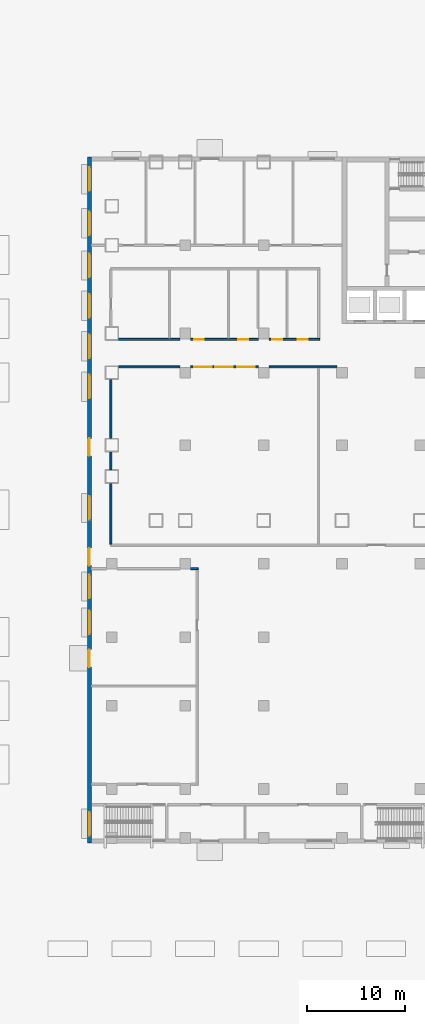
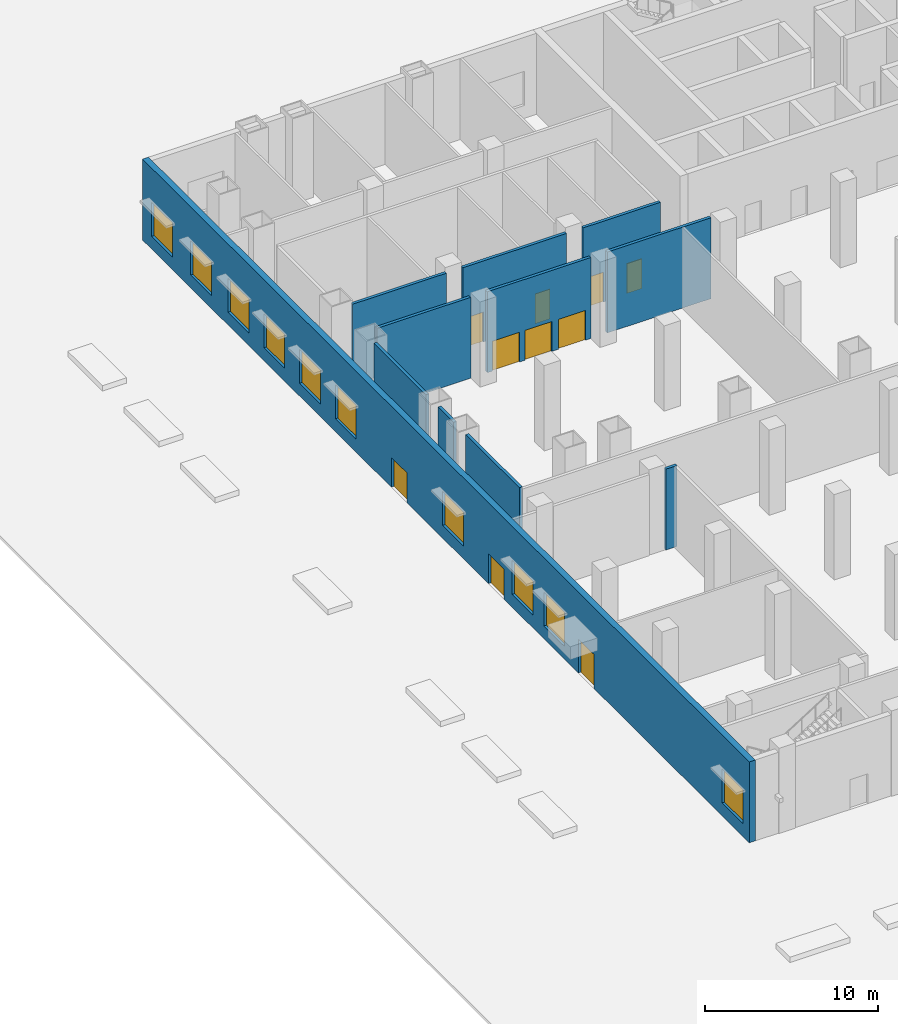
# One storey, part 4 of 18: 11 walls, 10 doors, 10 windows, 20 openings.
"""IFC4 building model written with IfcOpenShell, lengths in metres."""

from ifc_helpers import new_model, si_unit, direction, frame, frame_2d, origin, place, context, subcontext, project, spatial, rectangle, extrude, material, layer, layer_set, type_object, element, fill, save


model = new_model("IFC4")

# Units and contexts
model_context = context("Model", 3, precision=1e-05, world=origin(), true_north=direction((0.0, 1.0)))
body_context = subcontext(model_context, "Body", "Model", "MODEL_VIEW")
ifc_project = project(units=[si_unit("LENGTHUNIT", "METRE"), si_unit("AREAUNIT", "SQUARE_METRE"), si_unit("VOLUMEUNIT", "CUBIC_METRE"), si_unit("PLANEANGLEUNIT", "RADIAN"), si_unit("MASSUNIT", "GRAM", prefix="KILO")], contexts=[model_context])

# Site, building, storey
site_placement = place(None, origin())
site = spatial("IfcSite", under=ifc_project, at=site_placement, CompositionType="ELEMENT")
building_placement = place(site_placement, origin())
building = spatial("IfcBuilding", under=site, at=building_placement, Name="Vidyagriha Tower", CompositionType="ELEMENT")
storey_placement = place(building_placement, origin())
storey = spatial("IfcBuildingStorey", under=building, at=storey_placement, Name="L00", CompositionType="ELEMENT", Elevation=0.0)

# Wall, openings, doors, windows
ifc_material_1 = material(Name="Concrete C40/50 board-marked with brick facing", Category="concrete")
ifc_layer_1 = layer(ifc_material_1, 0.39990234375)
ifc_layer_set_1 = layer_set([ifc_layer_1], Name="Concrete C40/50 board-marked with brick facing")
wall_type_1 = type_object("IfcWallType", Name="Brick-faced board-marked concrete podium wall 400", PredefinedType="STANDARD", material=ifc_layer_set_1)
wall_1_placement = place(storey_placement, frame((-39.800048828125, 20.0, 0.0), z_axis=(0.0, 0.0, 1.0), x_axis=(0.0, -1.0, 0.0)))
wall_1 = element("IfcWall", 1, at=wall_1_placement, inside=storey, type_object=wall_type_1, Name="Podium wall L00 R05", PredefinedType="STANDARD", context=body_context, shape_type="SweptSolid", body=[
    extrude(rectangle(XDim=70.0, YDim=0.39990234375, at=frame_2d((35.0, 0.0))), origin(), (0.0, 0.0, 1.0), 5.699951171875),
])
opening_1_placement = place(wall_1_placement, frame((50.2666015625, 0.0, 0.0)))
opening_1 = element("IfcOpeningElement", 2, at=opening_1_placement, cuts=wall_1, Name="Opening D00-04", PredefinedType="OPENING", context=body_context, shape_type="SweptSolid", body=[
    extrude(rectangle(XDim=1.800048828125, YDim=2.39990234375, at=frame_2d((0.89990234375, 1.199951171875))), frame((0.0, 0.2099609375, 0.0), z_axis=(0.0, -1.0, 0.0), x_axis=(1.0, 0.0, 0.0)), (0.0, 0.0, 1.0), 0.419921875),
])
opening_2_placement = place(wall_1_placement, frame((1.050048828125, 0.0, 0.89990234375)))
opening_2 = element("IfcOpeningElement", 3, at=opening_2_placement, cuts=wall_1, Name="Opening WN4", PredefinedType="OPENING", context=body_context, shape_type="SweptSolid", body=[
    extrude(rectangle(XDim=2.39990234375, YDim=2.39990234375, at=frame_2d((1.199951171875, 1.199951171875))), frame((0.0, 0.2099609375, 0.0), z_axis=(0.0, -1.0, 0.0), x_axis=(1.0, 0.0, 0.0)), (0.0, 0.0, 1.0), 0.419921875),
])
opening_3_placement = place(wall_1_placement, frame((5.550048828125, 0.0, 0.89990234375)))
opening_3 = element("IfcOpeningElement", 4, at=opening_3_placement, cuts=wall_1, Name="Opening WN4", PredefinedType="OPENING", context=body_context, shape_type="SweptSolid", body=[
    extrude(rectangle(XDim=2.39990234375, YDim=2.39990234375, at=frame_2d((1.199951171875, 1.199951171875))), frame((0.0, 0.2099609375, 0.0), z_axis=(0.0, -1.0, 0.0), x_axis=(1.0, 0.0, 0.0)), (0.0, 0.0, 1.0), 0.419921875),
])
opening_4_placement = place(wall_1_placement, frame((9.862548828125, 0.0, 0.89990234375)))
opening_4 = element("IfcOpeningElement", 5, at=opening_4_placement, cuts=wall_1, Name="Opening WN4", PredefinedType="OPENING", context=body_context, shape_type="SweptSolid", body=[
    extrude(rectangle(XDim=2.39990234375, YDim=2.39990234375, at=frame_2d((1.199951171875, 1.199951171875))), frame((0.0, 0.2099609375, 0.0), z_axis=(0.0, -1.0, 0.0), x_axis=(1.0, 0.0, 0.0)), (0.0, 0.0, 1.0), 0.419921875),
])
opening_5_placement = place(wall_1_placement, frame((13.987548828125, 0.0, 0.89990234375)))
opening_5 = element("IfcOpeningElement", 6, at=opening_5_placement, cuts=wall_1, Name="Opening WN4", PredefinedType="OPENING", context=body_context, shape_type="SweptSolid", body=[
    extrude(rectangle(XDim=2.39990234375, YDim=2.39990234375, at=frame_2d((1.199951171875, 1.199951171875))), frame((0.0, 0.2099609375, 0.0), z_axis=(0.0, -1.0, 0.0), x_axis=(1.0, 0.0, 0.0)), (0.0, 0.0, 1.0), 0.419921875),
])
opening_6_placement = place(wall_1_placement, frame((18.112548828125, 0.0, 0.89990234375)))
opening_6 = element("IfcOpeningElement", 7, at=opening_6_placement, cuts=wall_1, Name="Opening WN4", PredefinedType="OPENING", context=body_context, shape_type="SweptSolid", body=[
    extrude(rectangle(XDim=2.39990234375, YDim=2.39990234375, at=frame_2d((1.199951171875, 1.199951171875))), frame((0.0, 0.2099609375, 0.0), z_axis=(0.0, -1.0, 0.0), x_axis=(1.0, 0.0, 0.0)), (0.0, 0.0, 1.0), 0.419921875),
])
opening_7_placement = place(wall_1_placement, frame((22.237548828125, 0.0, 0.89990234375)))
opening_7 = element("IfcOpeningElement", 8, at=opening_7_placement, cuts=wall_1, Name="Opening WN4", PredefinedType="OPENING", context=body_context, shape_type="SweptSolid", body=[
    extrude(rectangle(XDim=2.39990234375, YDim=2.39990234375, at=frame_2d((1.199951171875, 1.199951171875))), frame((0.0, 0.2099609375, 0.0), z_axis=(0.0, -1.0, 0.0), x_axis=(1.0, 0.0, 0.0)), (0.0, 0.0, 1.0), 0.419921875),
])
opening_8_placement = place(wall_1_placement, frame((34.612548828125, 0.0, 0.89990234375)))
opening_8 = element("IfcOpeningElement", 9, at=opening_8_placement, cuts=wall_1, Name="Opening WN4", PredefinedType="OPENING", context=body_context, shape_type="SweptSolid", body=[
    extrude(rectangle(XDim=2.39990234375, YDim=2.39990234375, at=frame_2d((1.199951171875, 1.199951171875))), frame((0.0, 0.2099609375, 0.0), z_axis=(0.0, -1.0, 0.0), x_axis=(1.0, 0.0, 0.0)), (0.0, 0.0, 1.0), 0.419921875),
])
opening_9_placement = place(wall_1_placement, frame((42.63330078125, 0.0, 0.89990234375)))
opening_9 = element("IfcOpeningElement", 10, at=opening_9_placement, cuts=wall_1, Name="Opening WN4", PredefinedType="OPENING", context=body_context, shape_type="SweptSolid", body=[
    extrude(rectangle(XDim=2.39990234375, YDim=2.39990234375, at=frame_2d((1.199951171875, 1.199951171875))), frame((0.0, 0.2099609375, 0.0), z_axis=(0.0, -1.0, 0.0), x_axis=(1.0, 0.0, 0.0)), (0.0, 0.0, 1.0), 0.419921875),
])
opening_10_placement = place(wall_1_placement, frame((46.300048828125, 0.0, 0.89990234375)))
opening_10 = element("IfcOpeningElement", 11, at=opening_10_placement, cuts=wall_1, Name="Opening WN4", PredefinedType="OPENING", context=body_context, shape_type="SweptSolid", body=[
    extrude(rectangle(XDim=2.39990234375, YDim=2.39990234375, at=frame_2d((1.199951171875, 1.199951171875))), frame((0.0, 0.2099609375, 0.0), z_axis=(0.0, -1.0, 0.0), x_axis=(1.0, 0.0, 0.0)), (0.0, 0.0, 1.0), 0.419921875),
])
opening_11_placement = place(wall_1_placement, frame((66.85009765625, 0.0, 0.89990234375)))
opening_11 = element("IfcOpeningElement", 12, at=opening_11_placement, cuts=wall_1, Name="Opening WN4", PredefinedType="OPENING", context=body_context, shape_type="SweptSolid", body=[
    extrude(rectangle(XDim=2.39990234375, YDim=2.39990234375, at=frame_2d((1.199951171875, 1.199951171875))), frame((0.0, 0.2099609375, 0.0), z_axis=(0.0, -1.0, 0.0), x_axis=(1.0, 0.0, 0.0)), (0.0, 0.0, 1.0), 0.419921875),
])
opening_12_placement = place(wall_1_placement, frame((28.699951171875, 0.0, 0.0)))
opening_12 = element("IfcOpeningElement", 13, at=opening_12_placement, cuts=wall_1, Name="Opening D00-66", PredefinedType="OPENING", context=body_context, shape_type="SweptSolid", body=[
    extrude(rectangle(XDim=1.800048828125, YDim=2.10009765625, at=frame_2d((0.89990234375, 1.050048828125))), frame((0.0, 0.2099609375, 0.0), z_axis=(0.0, -1.0, 0.0), x_axis=(1.0, 0.0, 0.0)), (0.0, 0.0, 1.0), 0.419921875),
])
opening_13_placement = place(wall_1_placement, frame((39.89990234375, 0.0, 0.0)))
opening_13 = element("IfcOpeningElement", 14, at=opening_13_placement, cuts=wall_1, Name="Opening D00-68", PredefinedType="OPENING", context=body_context, shape_type="SweptSolid", body=[
    extrude(rectangle(XDim=1.800048828125, YDim=2.10009765625, at=frame_2d((0.89990234375, 1.050048828125))), frame((0.0, 0.2099609375, 0.0), z_axis=(0.0, -1.0, 0.0), x_axis=(1.0, 0.0, 0.0)), (0.0, 0.0, 1.0), 0.419921875),
])
ifc_material_2 = material(Name="Aluminium and glass door", Category="aluminium")
door_type_1 = type_object("IfcDoorType", Name="Entrance double leaf glazed door 1800x2400", OperationType="NOTDEFINED", PredefinedType="DOOR", material=ifc_material_2)
door_1_placement = place(opening_1_placement, frame((1.800048828125, 0.0, 0.0), z_axis=(0.0, 0.0, 1.0), x_axis=(-1.0, 0.0, 0.0)))
door_1 = element("IfcDoor", 15, at=door_1_placement, inside=storey, type_object=door_type_1, Name="Stair exit D00-04", OperationType="DOUBLE_DOOR_SINGLE_SWING", OverallHeight=2.39990234375, OverallWidth=1.800048828125, PredefinedType="DOOR", context=body_context, shape_type="SweptSolid", body=[
    extrude(rectangle(XDim=1.800048828125, YDim=2.39990234375, at=frame_2d((0.89990234375, 1.199951171875))), frame((0.0, 0.02490234375, 0.0), z_axis=(0.0, -1.0, 0.0), x_axis=(1.0, 0.0, 0.0)), (0.0, 0.0, 1.0), 0.050048828125),
])
fill(opening_1, door_1)
ifc_material_3 = material(Name="Aluminium and glass window", Category="aluminium")
window_type = type_object("IfcWindowType", Name="Ground storey school window 2400x2400", PartitioningType="NOTDEFINED", PredefinedType="WINDOW", material=ifc_material_3)
window_1_placement = place(opening_2_placement, origin())
window_1 = element("IfcWindow", 16, at=window_1_placement, inside=storey, type_object=window_type, Name="School window L00 R05.1", OverallHeight=2.39990234375, OverallWidth=2.39990234375, PartitioningType="SINGLE_PANEL", PredefinedType="WINDOW", context=body_context, shape_type="SweptSolid", body=[
    extrude(rectangle(XDim=2.39990234375, YDim=2.39990234375, at=frame_2d((1.199951171875, 1.199951171875))), frame((0.0, 0.030029296875, 0.0), z_axis=(0.0, -1.0, 0.0), x_axis=(1.0, 0.0, 0.0)), (0.0, 0.0, 1.0), 0.06005859375),
])
fill(opening_2, window_1)
window_2_placement = place(opening_3_placement, origin())
window_2 = element("IfcWindow", 17, at=window_2_placement, inside=storey, type_object=window_type, Name="School window L00 R05.2", OverallHeight=2.39990234375, OverallWidth=2.39990234375, PartitioningType="SINGLE_PANEL", PredefinedType="WINDOW", context=body_context, shape_type="SweptSolid", body=[
    extrude(rectangle(XDim=2.39990234375, YDim=2.39990234375, at=frame_2d((1.199951171875, 1.199951171875))), frame((0.0, 0.030029296875, 0.0), z_axis=(0.0, -1.0, 0.0), x_axis=(1.0, 0.0, 0.0)), (0.0, 0.0, 1.0), 0.06005859375),
])
fill(opening_3, window_2)
window_3_placement = place(opening_4_placement, origin())
window_3 = element("IfcWindow", 18, at=window_3_placement, inside=storey, type_object=window_type, Name="School window L00 R05.3", OverallHeight=2.39990234375, OverallWidth=2.39990234375, PartitioningType="SINGLE_PANEL", PredefinedType="WINDOW", context=body_context, shape_type="SweptSolid", body=[
    extrude(rectangle(XDim=2.39990234375, YDim=2.39990234375, at=frame_2d((1.199951171875, 1.199951171875))), frame((0.0, 0.030029296875, 0.0), z_axis=(0.0, -1.0, 0.0), x_axis=(1.0, 0.0, 0.0)), (0.0, 0.0, 1.0), 0.06005859375),
])
fill(opening_4, window_3)
window_4_placement = place(opening_5_placement, origin())
window_4 = element("IfcWindow", 19, at=window_4_placement, inside=storey, type_object=window_type, Name="School window L00 R05.4", OverallHeight=2.39990234375, OverallWidth=2.39990234375, PartitioningType="SINGLE_PANEL", PredefinedType="WINDOW", context=body_context, shape_type="SweptSolid", body=[
    extrude(rectangle(XDim=2.39990234375, YDim=2.39990234375, at=frame_2d((1.199951171875, 1.199951171875))), frame((0.0, 0.030029296875, 0.0), z_axis=(0.0, -1.0, 0.0), x_axis=(1.0, 0.0, 0.0)), (0.0, 0.0, 1.0), 0.06005859375),
])
fill(opening_5, window_4)
window_5_placement = place(opening_6_placement, origin())
window_5 = element("IfcWindow", 20, at=window_5_placement, inside=storey, type_object=window_type, Name="School window L00 R05.5", OverallHeight=2.39990234375, OverallWidth=2.39990234375, PartitioningType="SINGLE_PANEL", PredefinedType="WINDOW", context=body_context, shape_type="SweptSolid", body=[
    extrude(rectangle(XDim=2.39990234375, YDim=2.39990234375, at=frame_2d((1.199951171875, 1.199951171875))), frame((0.0, 0.030029296875, 0.0), z_axis=(0.0, -1.0, 0.0), x_axis=(1.0, 0.0, 0.0)), (0.0, 0.0, 1.0), 0.06005859375),
])
fill(opening_6, window_5)
window_6_placement = place(opening_7_placement, origin())
window_6 = element("IfcWindow", 21, at=window_6_placement, inside=storey, type_object=window_type, Name="School window L00 R05.6", OverallHeight=2.39990234375, OverallWidth=2.39990234375, PartitioningType="SINGLE_PANEL", PredefinedType="WINDOW", context=body_context, shape_type="SweptSolid", body=[
    extrude(rectangle(XDim=2.39990234375, YDim=2.39990234375, at=frame_2d((1.199951171875, 1.199951171875))), frame((0.0, 0.030029296875, 0.0), z_axis=(0.0, -1.0, 0.0), x_axis=(1.0, 0.0, 0.0)), (0.0, 0.0, 1.0), 0.06005859375),
])
fill(opening_7, window_6)
window_7_placement = place(opening_8_placement, origin())
window_7 = element("IfcWindow", 22, at=window_7_placement, inside=storey, type_object=window_type, Name="School window L00 R05.9", OverallHeight=2.39990234375, OverallWidth=2.39990234375, PartitioningType="SINGLE_PANEL", PredefinedType="WINDOW", context=body_context, shape_type="SweptSolid", body=[
    extrude(rectangle(XDim=2.39990234375, YDim=2.39990234375, at=frame_2d((1.199951171875, 1.199951171875))), frame((0.0, 0.030029296875, 0.0), z_axis=(0.0, -1.0, 0.0), x_axis=(1.0, 0.0, 0.0)), (0.0, 0.0, 1.0), 0.06005859375),
])
fill(opening_8, window_7)
window_8_placement = place(opening_9_placement, origin())
window_8 = element("IfcWindow", 23, at=window_8_placement, inside=storey, type_object=window_type, Name="School window L00 R05.11", OverallHeight=2.39990234375, OverallWidth=2.39990234375, PartitioningType="SINGLE_PANEL", PredefinedType="WINDOW", context=body_context, shape_type="SweptSolid", body=[
    extrude(rectangle(XDim=2.39990234375, YDim=2.39990234375, at=frame_2d((1.199951171875, 1.199951171875))), frame((0.0, 0.030029296875, 0.0), z_axis=(0.0, -1.0, 0.0), x_axis=(1.0, 0.0, 0.0)), (0.0, 0.0, 1.0), 0.06005859375),
])
fill(opening_9, window_8)
window_9_placement = place(opening_10_placement, origin())
window_9 = element("IfcWindow", 24, at=window_9_placement, inside=storey, type_object=window_type, Name="School window L00 R05.12", OverallHeight=2.39990234375, OverallWidth=2.39990234375, PartitioningType="SINGLE_PANEL", PredefinedType="WINDOW", context=body_context, shape_type="SweptSolid", body=[
    extrude(rectangle(XDim=2.39990234375, YDim=2.39990234375, at=frame_2d((1.199951171875, 1.199951171875))), frame((0.0, 0.030029296875, 0.0), z_axis=(0.0, -1.0, 0.0), x_axis=(1.0, 0.0, 0.0)), (0.0, 0.0, 1.0), 0.06005859375),
])
fill(opening_10, window_9)
window_10_placement = place(opening_11_placement, origin())
window_10 = element("IfcWindow", 25, at=window_10_placement, inside=storey, type_object=window_type, Name="School window L00 R05.19", OverallHeight=2.39990234375, OverallWidth=2.39990234375, PartitioningType="SINGLE_PANEL", PredefinedType="WINDOW", context=body_context, shape_type="SweptSolid", body=[
    extrude(rectangle(XDim=2.39990234375, YDim=2.39990234375, at=frame_2d((1.199951171875, 1.199951171875))), frame((0.0, 0.030029296875, 0.0), z_axis=(0.0, -1.0, 0.0), x_axis=(1.0, 0.0, 0.0)), (0.0, 0.0, 1.0), 0.06005859375),
])
fill(opening_11, window_10)
ifc_material_4 = material(Name="Painted hardwood door set", Category="wood")
door_type_2 = type_object("IfcDoorType", Name="Podium Door 1800x2100 NOT RATED Pair", OperationType="NOTDEFINED", PredefinedType="DOOR", material=ifc_material_4)
door_2_placement = place(opening_12_placement, frame((1.800048828125, 0.0, 0.0), z_axis=(0.0, 0.0, 1.0), x_axis=(-1.0, 0.0, 0.0)))
door_2 = element("IfcDoor", 26, at=door_2_placement, inside=storey, type_object=door_type_2, Name="L00 Gallery exit west D00-66", OperationType="DOUBLE_DOOR_SINGLE_SWING", OverallHeight=2.10009765625, OverallWidth=1.800048828125, PredefinedType="DOOR", context=body_context, shape_type="SweptSolid", body=[
    extrude(rectangle(XDim=1.800048828125, YDim=2.10009765625, at=frame_2d((0.89990234375, 1.050048828125))), frame((0.0, 0.02490234375, 0.0), z_axis=(0.0, -1.0, 0.0), x_axis=(1.0, 0.0, 0.0)), (0.0, 0.0, 1.0), 0.050048828125),
])
fill(opening_12, door_2)
door_3_placement = place(opening_13_placement, frame((1.800048828125, 0.0, 0.0), z_axis=(0.0, 0.0, 1.0), x_axis=(-1.0, 0.0, 0.0)))
door_3 = element("IfcDoor", 27, at=door_3_placement, inside=storey, type_object=door_type_2, Name="L00 North gallery exit west D00-68", OperationType="DOUBLE_DOOR_SINGLE_SWING", OverallHeight=2.10009765625, OverallWidth=1.800048828125, PredefinedType="DOOR", context=body_context, shape_type="SweptSolid", body=[
    extrude(rectangle(XDim=1.800048828125, YDim=2.10009765625, at=frame_2d((0.89990234375, 1.050048828125))), frame((0.0, 0.02490234375, 0.0), z_axis=(0.0, -1.0, 0.0), x_axis=(1.0, 0.0, 0.0)), (0.0, 0.0, 1.0), 0.050048828125),
])
fill(opening_13, door_3)

# Walls
ifc_material_5 = material(Name="Fire rated gypsum board on light gauge framing")
ifc_layer_2 = layer(ifc_material_5, 0.199951171875)
ifc_layer_set_2 = layer_set([ifc_layer_2], Name="Fire rated gypsum board on light gauge framing")
wall_type_2 = type_object("IfcWallType", Name="Fire Rated Corridor Wall 200", PredefinedType="PARTITIONING", material=ifc_layer_set_2)
wall_2_placement = place(storey_placement, frame((-29.449951171875, -22.0, 0.0)))
element("IfcWall", 28, at=wall_2_placement, inside=storey, type_object=wall_type_2, Name="L00 Fire Rated Corridor Wall 200 017", PredefinedType="PARTITIONING", context=body_context, shape_type="SweptSolid", body=[
    extrude(rectangle(XDim=0.75, YDim=0.199951171875, at=frame_2d((0.375, 0.0))), origin(), (0.0, 0.0, 1.0), 5.699951171875),
])
wall_3_placement = place(storey_placement, frame((-36.800048828125, -1.39990234375, 0.0)))
element("IfcWall", 29, at=wall_3_placement, inside=storey, type_object=wall_type_2, Name="L00 Fire Rated Corridor Wall 200 022", PredefinedType="PARTITIONING", context=body_context, shape_type="SweptSolid", body=[
    extrude(rectangle(XDim=6.25, YDim=0.199951171875, at=frame_2d((3.125, 0.0))), origin(), (0.0, 0.0, 1.0), 5.699951171875),
])

# Wall, openings, doors
wall_4_placement = place(storey_placement, frame((-29.449951171875, -1.39990234375, 0.0)))
wall_4 = element("IfcWall", 30, at=wall_4_placement, inside=storey, type_object=wall_type_2, Name="L00 Fire Rated Corridor Wall 200 023", PredefinedType="PARTITIONING", context=body_context, shape_type="SweptSolid", body=[
    extrude(rectangle(XDim=6.89990234375, YDim=0.199951171875, at=frame_2d((3.449951171875, 0.0))), origin(), (0.0, 0.0, 1.0), 5.699951171875),
])
opening_14_placement = place(wall_4_placement, frame((0.35009765625, 0.0, 0.0)))
opening_14 = element("IfcOpeningElement", 31, at=opening_14_placement, cuts=wall_4, Name="Opening D00-43", PredefinedType="OPENING", context=body_context, shape_type="SweptSolid", body=[
    extrude(rectangle(XDim=1.800048828125, YDim=2.10009765625, at=frame_2d((0.89990234375, 1.050048828125))), frame((0.0, 0.10986328125, 0.0), z_axis=(0.0, -1.0, 0.0), x_axis=(1.0, 0.0, 0.0)), (0.0, 0.0, 1.0), 0.219970703125),
])
opening_15_placement = place(wall_4_placement, frame((2.5, 0.0, 0.0)))
opening_15 = element("IfcOpeningElement", 32, at=opening_15_placement, cuts=wall_4, Name="Opening D00-44", PredefinedType="OPENING", context=body_context, shape_type="SweptSolid", body=[
    extrude(rectangle(XDim=1.800048828125, YDim=2.10009765625, at=frame_2d((0.89990234375, 1.050048828125))), frame((0.0, 0.10986328125, 0.0), z_axis=(0.0, -1.0, 0.0), x_axis=(1.0, 0.0, 0.0)), (0.0, 0.0, 1.0), 0.219970703125),
])
opening_16_placement = place(wall_4_placement, frame((4.75, 0.0, 0.0)))
opening_16 = element("IfcOpeningElement", 33, at=opening_16_placement, cuts=wall_4, Name="Opening D00-45", PredefinedType="OPENING", context=body_context, shape_type="SweptSolid", body=[
    extrude(rectangle(XDim=1.800048828125, YDim=2.10009765625, at=frame_2d((0.89990234375, 1.050048828125))), frame((0.0, 0.10986328125, 0.0), z_axis=(0.0, -1.0, 0.0), x_axis=(1.0, 0.0, 0.0)), (0.0, 0.0, 1.0), 0.219970703125),
])
ifc_material_6 = material(Name="Steel fire door set", Category="steel")
door_type_3 = type_object("IfcDoorType", Name="Podium Door 1800x2100 EI 30 Pair", OperationType="NOTDEFINED", PredefinedType="DOOR", material=ifc_material_6)
door_4_placement = place(opening_14_placement, origin())
door_4 = element("IfcDoor", 34, at=door_4_placement, inside=storey, type_object=door_type_3, Name="L00 door D00-43", OperationType="DOUBLE_DOOR_SINGLE_SWING", OverallHeight=2.10009765625, OverallWidth=1.800048828125, PredefinedType="DOOR", context=body_context, shape_type="SweptSolid", body=[
    extrude(rectangle(XDim=1.800048828125, YDim=2.10009765625, at=frame_2d((0.89990234375, 1.050048828125))), frame((0.0, 0.02490234375, 0.0), z_axis=(0.0, -1.0, 0.0), x_axis=(1.0, 0.0, 0.0)), (0.0, 0.0, 1.0), 0.050048828125),
])
fill(opening_14, door_4)
door_5_placement = place(opening_15_placement, origin())
door_5 = element("IfcDoor", 35, at=door_5_placement, inside=storey, type_object=door_type_3, Name="L00 door D00-44", OperationType="DOUBLE_DOOR_SINGLE_SWING", OverallHeight=2.10009765625, OverallWidth=1.800048828125, PredefinedType="DOOR", context=body_context, shape_type="SweptSolid", body=[
    extrude(rectangle(XDim=1.800048828125, YDim=2.10009765625, at=frame_2d((0.89990234375, 1.050048828125))), frame((0.0, 0.02490234375, 0.0), z_axis=(0.0, -1.0, 0.0), x_axis=(1.0, 0.0, 0.0)), (0.0, 0.0, 1.0), 0.050048828125),
])
fill(opening_15, door_5)
door_6_placement = place(opening_16_placement, origin())
door_6 = element("IfcDoor", 36, at=door_6_placement, inside=storey, type_object=door_type_3, Name="L00 door D00-45", OperationType="DOUBLE_DOOR_SINGLE_SWING", OverallHeight=2.10009765625, OverallWidth=1.800048828125, PredefinedType="DOOR", context=body_context, shape_type="SweptSolid", body=[
    extrude(rectangle(XDim=1.800048828125, YDim=2.10009765625, at=frame_2d((0.89990234375, 1.050048828125))), frame((0.0, 0.02490234375, 0.0), z_axis=(0.0, -1.0, 0.0), x_axis=(1.0, 0.0, 0.0)), (0.0, 0.0, 1.0), 0.050048828125),
])
fill(opening_16, door_6)

# Walls
wall_5_placement = place(storey_placement, frame((-21.449951171875, -1.39990234375, 0.0)))
element("IfcWall", 37, at=wall_5_placement, inside=storey, type_object=wall_type_2, Name="L00 Fire Rated Corridor Wall 200 024", PredefinedType="PARTITIONING", context=body_context, shape_type="SweptSolid", body=[
    extrude(rectangle(XDim=6.89990234375, YDim=0.199951171875, at=frame_2d((3.449951171875, 0.0))), origin(), (0.0, 0.0, 1.0), 5.699951171875),
])
wall_6_placement = place(storey_placement, frame((-36.800048828125, 1.39990234375, 0.0)))
element("IfcWall", 38, at=wall_6_placement, inside=storey, type_object=wall_type_2, Name="L00 Fire Rated Corridor Wall 200 029", PredefinedType="PARTITIONING", context=body_context, shape_type="SweptSolid", body=[
    extrude(rectangle(XDim=6.25, YDim=0.199951171875, at=frame_2d((3.125, 0.0))), origin(), (0.0, 0.0, 1.0), 5.699951171875),
])

# Wall, openings, doors
wall_7_placement = place(storey_placement, frame((-29.449951171875, 1.39990234375, 0.0)))
wall_7 = element("IfcWall", 39, at=wall_7_placement, inside=storey, type_object=wall_type_2, Name="L00 Fire Rated Corridor Wall 200 030", PredefinedType="PARTITIONING", context=body_context, shape_type="SweptSolid", body=[
    extrude(rectangle(XDim=6.89990234375, YDim=0.199951171875, at=frame_2d((3.449951171875, 0.0))), origin(), (0.0, 0.0, 1.0), 5.699951171875),
])
opening_17_placement = place(wall_7_placement, frame((0.35009765625, 0.0, 0.0)))
opening_17 = element("IfcOpeningElement", 40, at=opening_17_placement, cuts=wall_7, Name="Opening D00-29", PredefinedType="OPENING", context=body_context, shape_type="SweptSolid", body=[
    extrude(rectangle(XDim=1.0, YDim=2.10009765625, at=frame_2d((0.5, 1.050048828125))), frame((0.0, 0.10986328125, 0.0), z_axis=(0.0, -1.0, 0.0), x_axis=(1.0, 0.0, 0.0)), (0.0, 0.0, 1.0), 0.219970703125),
])
opening_18_placement = place(wall_7_placement, frame((4.85009765625, 0.0, 0.0)))
opening_18 = element("IfcOpeningElement", 41, at=opening_18_placement, cuts=wall_7, Name="Opening D00-30", PredefinedType="OPENING", context=body_context, shape_type="SweptSolid", body=[
    extrude(rectangle(XDim=1.0, YDim=2.10009765625, at=frame_2d((0.5, 1.050048828125))), frame((0.0, 0.10986328125, 0.0), z_axis=(0.0, -1.0, 0.0), x_axis=(1.0, 0.0, 0.0)), (0.0, 0.0, 1.0), 0.219970703125),
])
ifc_material_7 = material(Name="Steel fire door set", Category="steel")
door_type_4 = type_object("IfcDoorType", Name="Podium Door 1000x2100 EI 30", OperationType="NOTDEFINED", PredefinedType="DOOR", material=ifc_material_7)
door_7_placement = place(opening_17_placement, origin())
door_7 = element("IfcDoor", 42, at=door_7_placement, inside=storey, type_object=door_type_4, Name="L00 door D00-29", OperationType="SINGLE_SWING_LEFT", OverallHeight=2.10009765625, OverallWidth=1.0, PredefinedType="DOOR", context=body_context, shape_type="SweptSolid", body=[
    extrude(rectangle(XDim=1.0, YDim=2.10009765625, at=frame_2d((0.5, 1.050048828125))), frame((0.0, 0.02490234375, 0.0), z_axis=(0.0, -1.0, 0.0), x_axis=(1.0, 0.0, 0.0)), (0.0, 0.0, 1.0), 0.050048828125),
])
fill(opening_17, door_7)
door_8_placement = place(opening_18_placement, origin())
door_8 = element("IfcDoor", 43, at=door_8_placement, inside=storey, type_object=door_type_4, Name="L00 door D00-30", OperationType="SINGLE_SWING_RIGHT", OverallHeight=2.10009765625, OverallWidth=1.0, PredefinedType="DOOR", context=body_context, shape_type="SweptSolid", body=[
    extrude(rectangle(XDim=1.0, YDim=2.10009765625, at=frame_2d((0.5, 1.050048828125))), frame((0.0, 0.02490234375, 0.0), z_axis=(0.0, -1.0, 0.0), x_axis=(1.0, 0.0, 0.0)), (0.0, 0.0, 1.0), 0.050048828125),
])
fill(opening_18, door_8)

wall_8_placement = place(storey_placement, frame((-21.449951171875, 1.39990234375, 0.0)))
wall_8 = element("IfcWall", 44, at=wall_8_placement, inside=storey, type_object=wall_type_2, Name="L00 Fire Rated Corridor Wall 200 031", PredefinedType="PARTITIONING", context=body_context, shape_type="SweptSolid", body=[
    extrude(rectangle(XDim=5.14990234375, YDim=0.199951171875, at=frame_2d((2.574951171875, 0.0))), origin(), (0.0, 0.0, 1.0), 5.699951171875),
])
opening_19_placement = place(wall_8_placement, frame((0.35009765625, 0.0, 0.0)))
opening_19 = element("IfcOpeningElement", 45, at=opening_19_placement, cuts=wall_8, Name="Opening D00-31", PredefinedType="OPENING", context=body_context, shape_type="SweptSolid", body=[
    extrude(rectangle(XDim=1.0, YDim=2.10009765625, at=frame_2d((0.5, 1.050048828125))), frame((0.0, 0.10986328125, 0.0), z_axis=(0.0, -1.0, 0.0), x_axis=(1.0, 0.0, 0.0)), (0.0, 0.0, 1.0), 0.219970703125),
])
opening_20_placement = place(wall_8_placement, frame((2.949951171875, 0.0, 0.0)))
opening_20 = element("IfcOpeningElement", 46, at=opening_20_placement, cuts=wall_8, Name="Opening D00-32", PredefinedType="OPENING", context=body_context, shape_type="SweptSolid", body=[
    extrude(rectangle(XDim=1.0, YDim=2.10009765625, at=frame_2d((0.5, 1.050048828125))), frame((0.0, 0.10986328125, 0.0), z_axis=(0.0, -1.0, 0.0), x_axis=(1.0, 0.0, 0.0)), (0.0, 0.0, 1.0), 0.219970703125),
])
door_9_placement = place(opening_19_placement, origin())
door_9 = element("IfcDoor", 47, at=door_9_placement, inside=storey, type_object=door_type_4, Name="L00 door D00-31", OperationType="SINGLE_SWING_LEFT", OverallHeight=2.10009765625, OverallWidth=1.0, PredefinedType="DOOR", context=body_context, shape_type="SweptSolid", body=[
    extrude(rectangle(XDim=1.0, YDim=2.10009765625, at=frame_2d((0.5, 1.050048828125))), frame((0.0, 0.02490234375, 0.0), z_axis=(0.0, -1.0, 0.0), x_axis=(1.0, 0.0, 0.0)), (0.0, 0.0, 1.0), 0.050048828125),
])
fill(opening_19, door_9)
door_10_placement = place(opening_20_placement, origin())
door_10 = element("IfcDoor", 48, at=door_10_placement, inside=storey, type_object=door_type_4, Name="L00 door D00-32", OperationType="SINGLE_SWING_RIGHT", OverallHeight=2.10009765625, OverallWidth=1.0, PredefinedType="DOOR", context=body_context, shape_type="SweptSolid", body=[
    extrude(rectangle(XDim=1.0, YDim=2.10009765625, at=frame_2d((0.5, 1.050048828125))), frame((0.0, 0.02490234375, 0.0), z_axis=(0.0, -1.0, 0.0), x_axis=(1.0, 0.0, 0.0)), (0.0, 0.0, 1.0), 0.050048828125),
])
fill(opening_20, door_10)

# Walls
wall_9_placement = place(storey_placement, frame((-37.60009765625, -19.5, 0.0), z_axis=(0.0, 0.0, 1.0), x_axis=(0.0, 1.0, 0.0)))
element("IfcWall", 49, at=wall_9_placement, inside=storey, type_object=wall_type_2, Name="L00 Fire Rated Corridor Wall 200 046", PredefinedType="PARTITIONING", context=body_context, shape_type="SweptSolid", body=[
    extrude(rectangle(XDim=6.199951171875, YDim=0.199951171875, at=frame_2d((3.10009765625, 0.0))), origin(), (0.0, 0.0, 1.0), 5.699951171875),
])
wall_10_placement = place(storey_placement, frame((-37.60009765625, -11.89990234375, 0.0), z_axis=(0.0, 0.0, 1.0), x_axis=(0.0, 1.0, 0.0)))
element("IfcWall", 50, at=wall_10_placement, inside=storey, type_object=wall_type_2, Name="L00 Fire Rated Corridor Wall 200 047", PredefinedType="PARTITIONING", context=body_context, shape_type="SweptSolid", body=[
    extrude(rectangle(XDim=1.7998046875, YDim=0.199951171875, at=frame_2d((0.89990234375, 0.0))), origin(), (0.0, 0.0, 1.0), 5.699951171875),
])
wall_11_placement = place(storey_placement, frame((-37.60009765625, -8.699951171875, 0.0), z_axis=(0.0, 0.0, 1.0), x_axis=(0.0, 1.0, 0.0)))
element("IfcWall", 51, at=wall_11_placement, inside=storey, type_object=wall_type_2, Name="L00 Fire Rated Corridor Wall 200 048", PredefinedType="PARTITIONING", context=body_context, shape_type="SweptSolid", body=[
    extrude(rectangle(XDim=6.0, YDim=0.199951171875, at=frame_2d((3.0, 0.0))), origin(), (0.0, 0.0, 1.0), 5.699951171875),
])

save(model, "model.ifc")
